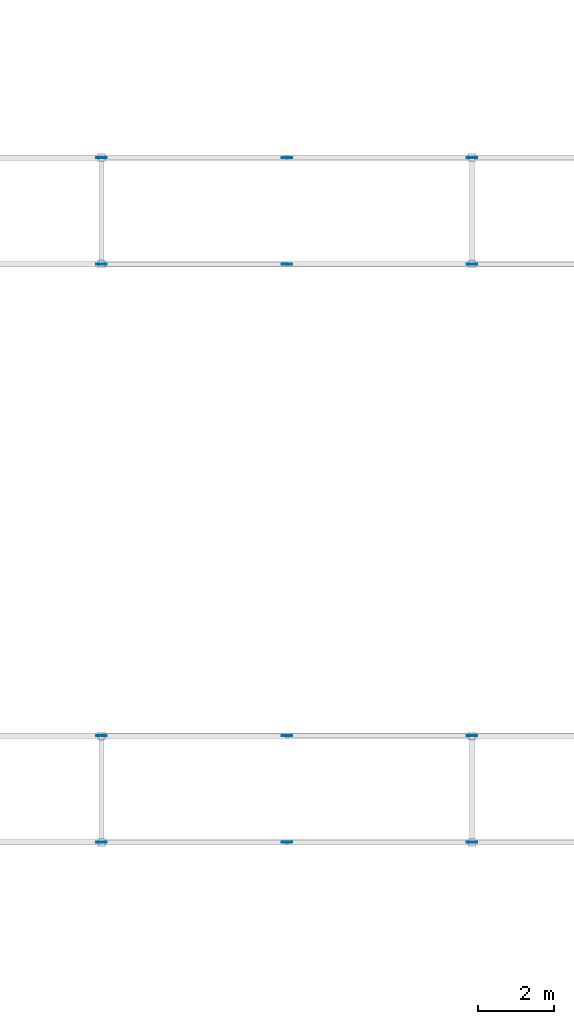
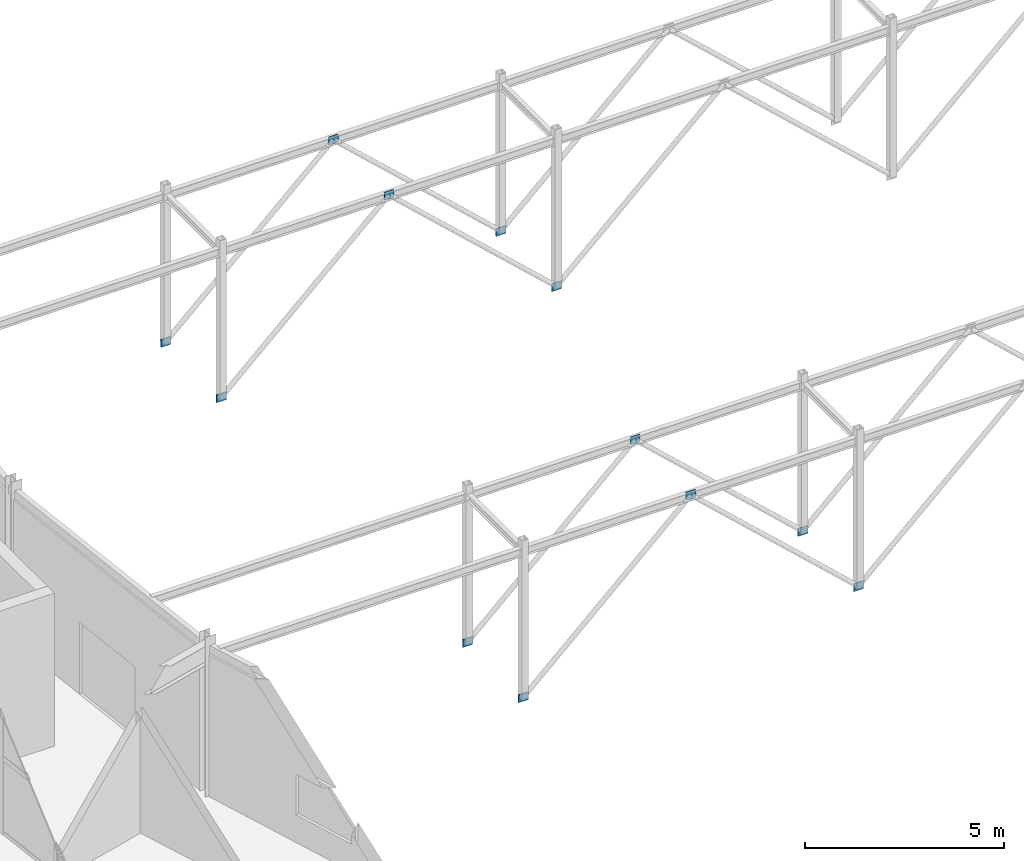
# One storey, part 110 of 144: 12 plates.
"""IFC4 building model written with IfcOpenShell, lengths in metres."""

from ifc_helpers import new_model, si_unit, direction, frame, origin, origin_2d, place, context, subcontext, project, spatial, rectangle, extrude, material, layer, layer_set, type_object, element, save


model = new_model("IFC4")

# Units and contexts
model_context = context("Model", 3, precision=1e-05, world=origin(), true_north=direction((0.0, 1.0)))
body_context = subcontext(model_context, "Body", "Model", "MODEL_VIEW")
ifc_project = project(units=[si_unit("LENGTHUNIT", "METRE"), si_unit("AREAUNIT", "SQUARE_METRE"), si_unit("VOLUMEUNIT", "CUBIC_METRE"), si_unit("PLANEANGLEUNIT", "RADIAN"), si_unit("MASSUNIT", "GRAM", prefix="KILO")], contexts=[model_context])

# Site, building, storey
site_placement = place(None, origin())
site = spatial("IfcSite", under=ifc_project, at=site_placement, CompositionType="ELEMENT")
building_placement = place(site_placement, origin())
building = spatial("IfcBuilding", under=site, at=building_placement, Name="Karori Crest Natural Sciences Institute", CompositionType="ELEMENT")
storey_placement = place(building_placement, origin())
storey = spatial("IfcBuildingStorey", under=building, at=storey_placement, Name="L00", CompositionType="ELEMENT", Elevation=0.0)

# Plates
ifc_material = material(Name="Structural steel AS/NZS 3679.1 Grade 350", Category="steel")
ifc_layer = layer(ifc_material, 0.02490234375, Name="Structural steel AS/NZS 3679.1 Grade 350")
ifc_layer_set = layer_set([ifc_layer], Name="Structural steel AS/NZS 3679.1 Grade 350")
plate_type = type_object("IfcPlateType", Name="PLT-06-EL", PredefinedType="SHEET", material=ifc_layer_set)
for number, where, z_axis, x_axis, name in (
    (1, (51.7900390625, 41.199951171875, -0.10986328125), (0.0, 0.0, 1.0), (1.0, 0.0, 0.0), "Brace gusset plate EP-0154"),
    (2, (56.659912109375, 41.199951171875, 4.39990234375), (0.0, 0.0, 1.0), (1.0, 0.0, 0.0), "Brace gusset plate EP-0155"),
    (3, (61.530029296875, 41.199951171875, -0.10986328125), (0.0, 0.0, 1.0), (1.0, 0.0, 0.0), "Brace gusset plate EP-0156"),
    (4, (51.7900390625, 44.0, -0.10986328125), (0.0, 0.0, 1.0), (1.0, 0.0, 0.0), "Brace gusset plate EP-0158"),
    (5, (56.659912109375, 44.0, 4.39990234375), (0.0, 0.0, 1.0), (1.0, 0.0, 0.0), "Brace gusset plate EP-0159"),
    (6, (61.530029296875, 44.0, -0.10986328125), (0.0, 0.0, 1.0), (1.0, 0.0, 0.0), "Brace gusset plate EP-0160"),
    (7, (51.7900390625, 56.39990234375, -0.10986328125), (0.0, 0.0, 1.0), (1.0, 0.0, 0.0), "Brace gusset plate EP-0184"),
    (8, (56.659912109375, 56.39990234375, 4.39990234375), (0.0, 0.0, 1.0), (1.0, 0.0, 0.0), "Brace gusset plate EP-0185"),
    (9, (61.530029296875, 56.39990234375, -0.10986328125), (0.0, 0.0, 1.0), (1.0, 0.0, 0.0), "Brace gusset plate EP-0186"),
    (10, (51.7900390625, 59.199951171875, -0.10986328125), (0.0, 0.0, 1.0), (1.0, 0.0, 0.0), "Brace gusset plate EP-0188"),
    (11, (56.659912109375, 59.199951171875, 4.39990234375), (0.0, 0.0, 1.0), (1.0, 0.0, 0.0), "Brace gusset plate EP-0189"),
    (12, (61.530029296875, 59.199951171875, -0.10986328125), (0.0, 0.0, 1.0), (1.0, 0.0, 0.0), "Brace gusset plate EP-0190"),
):
    element("IfcPlate", number, at=place(storey_placement, frame(where, z_axis=z_axis, x_axis=x_axis)), inside=storey, type_object=plate_type, Name=name, PredefinedType="SHEET", context=body_context, shape_type="SweptSolid", body=[
        extrude(rectangle(XDim=0.280029296875, YDim=0.02490234375, at=origin_2d()), origin(), (0.0, 0.0, 1.0), 0.239990234375),
    ])

save(model, "model.ifc")
